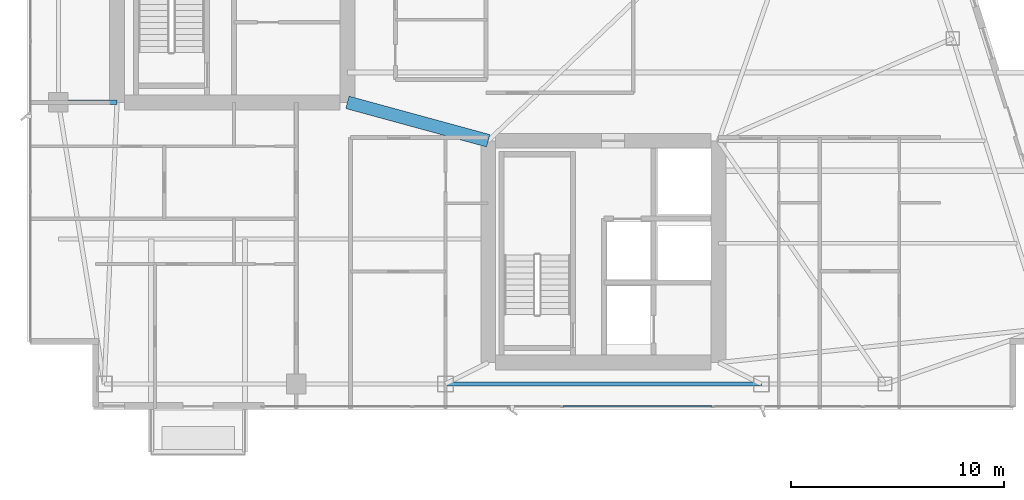
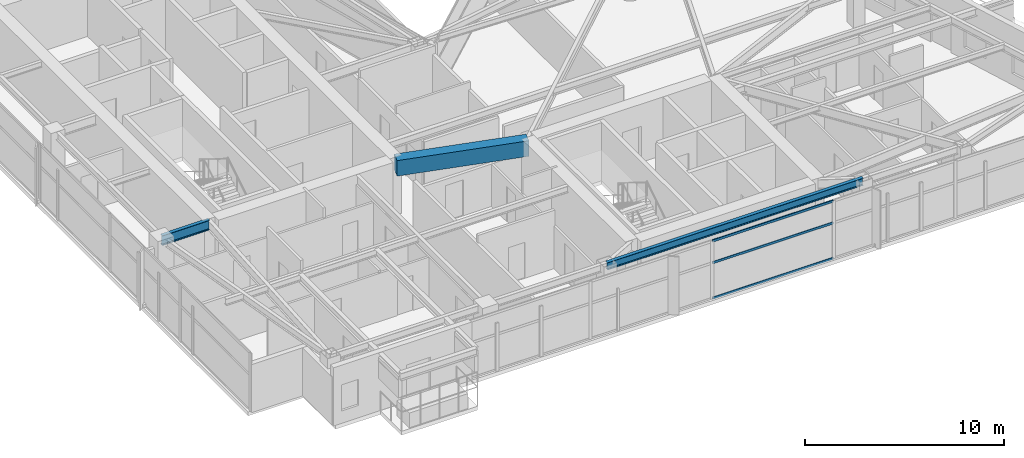
# One storey, part 7 of 27: 3 beams, 3 members, 1 element without a shape of its own.
"""IFC4 building model written with IfcOpenShell, lengths in metres."""

import ifcopenshell
import ifcopenshell.guid

model = None  # the IFC model being written
_history = None  # IfcOwnerHistory: only IFC2X3 demands one
_inside = {}  # id of a spatial element -> (the spatial element, [elements in it])
_under = {}  # id of a project, library or spatial element -> (it, [spatial elements below it])
_declared = {}  # id of a project -> (the project, [libraries it declares])
_typed = {}  # id of a type object -> (the type object, [elements of that type])
_made_of = {}  # id of a material, layer set ... -> (it, [elements and type objects made of it])


def new_model(schema):
    """Start an empty IFC model of exactly this schema.

    Asked for "IFC4X3", IfcOpenShell would pick the latest addendum, in which some entities
    have other attributes; the version numbers below select the first issue.
    IFC2X3 requires an IfcOwnerHistory on every rooted entity: one is made here for all.
    """
    global model, _history
    if schema == "IFC4X3":
        model = ifcopenshell.file(schema_version=(4, 3, 0, 0))
    else:
        model = ifcopenshell.file(schema=schema)
    _inside.clear()
    _under.clear()
    _declared.clear()
    _typed.clear()
    _made_of.clear()
    _history = None
    if model.schema == "IFC2X3":
        org = make("IfcOrganization", Name="unknown")
        user = make(
            "IfcPersonAndOrganization",
            ThePerson=make("IfcPerson", FamilyName="unknown"),
            TheOrganization=org,
        )
        app = make(
            "IfcApplication",
            ApplicationDeveloper=org,
            Version="unknown",
            ApplicationFullName="unknown",
            ApplicationIdentifier="unknown",
        )
        _history = make(
            "IfcOwnerHistory",
            OwningUser=user,
            OwningApplication=app,
            ChangeAction="ADDED",
            CreationDate=0,
        )
    return model


def make(cls, **values):
    """One entity of the class cls with the attributes given. An attribute that is None is left unset."""
    return model.create_entity(
        cls, **{name: value for name, value in values.items() if value is not None}
    )


def rooted(cls, **values):
    """An entity with a GlobalId (a new one), such as an element, a storey or a relation."""
    return make(cls, GlobalId=ifcopenshell.guid.new(), OwnerHistory=_history, **values)


def si_unit(unit_type, name, prefix=None):
    """IfcSIUnit, for example si_unit("LENGTHUNIT", "METRE", prefix="MILLI")."""
    return make("IfcSIUnit", UnitType=unit_type, Prefix=prefix, Name=name)


def assignment(units):
    """IfcUnitAssignment: the units of a project."""
    return None if units is None else make("IfcUnitAssignment", Units=units)


def point(xyz):
    """IfcCartesianPoint."""
    return None if xyz is None else make("IfcCartesianPoint", Coordinates=xyz)


def direction(xyz):
    """IfcDirection."""
    return None if xyz is None else make("IfcDirection", DirectionRatios=xyz)


def frame(location, z_axis=None, x_axis=None):
    """IfcAxis2Placement3D, a coordinate frame: its origin and axes. An axis left out is left unset."""
    return make(
        "IfcAxis2Placement3D",
        Location=point(location),
        Axis=direction(z_axis),
        RefDirection=direction(x_axis),
    )


def frame_2d(location, x_axis=None):
    """IfcAxis2Placement2D, a coordinate frame in the plane: its origin and x axis."""
    return make(
        "IfcAxis2Placement2D", Location=point(location), RefDirection=direction(x_axis)
    )


def origin():
    """The frame at (0, 0, 0) with its axes left unset."""
    return frame((0.0, 0.0, 0.0))


def origin_2d():
    """The frame at (0, 0) in the plane with its x axis left unset."""
    return frame_2d((0.0, 0.0))


def place(relative_to, where):
    """IfcLocalPlacement: puts the frame where relative to a parent placement (None: the world)."""
    return make(
        "IfcLocalPlacement", PlacementRelTo=relative_to, RelativePlacement=where
    )


def context(
    kind, dimensions, precision=None, world=None, true_north=None, identifier=None
):
    """IfcGeometricRepresentationContext, for example the 3D "Model" context."""
    return make(
        "IfcGeometricRepresentationContext",
        ContextIdentifier=identifier,
        ContextType=kind,
        CoordinateSpaceDimension=dimensions,
        Precision=precision,
        WorldCoordinateSystem=world,
        TrueNorth=true_north,
    )


def subcontext(parent, identifier, kind, view, scale=None):
    """IfcGeometricRepresentationSubContext, for example "Body" below "Model"."""
    return make(
        "IfcGeometricRepresentationSubContext",
        ContextIdentifier=identifier,
        ContextType=kind,
        ParentContext=parent,
        TargetScale=scale,
        TargetView=view,
    )


def project(units=None, contexts=None):
    """IfcProject with its units and contexts."""
    return rooted(
        "IfcProject",
        Name="project",
        RepresentationContexts=contexts,
        UnitsInContext=assignment(units),
    )


def spatial(cls, under=None, at=None, **own):
    """A site, building, storey or space (cls), placed at a placement, below another one or the project."""
    s = rooted(cls, ObjectPlacement=at, **own)
    if under is not None:
        _under.setdefault(under.id(), (under, []))[1].append(s)
    return s


def profile(cls, at=None, kind="AREA", **sizes):
    """A parametric profile (cls). Its sizes go by their IFC names, for example OverallWidth=200.0."""
    return make(cls, ProfileType=kind, Position=at, **sizes)


def rectangle(**sizes):
    """IfcRectangleProfileDef."""
    return profile("IfcRectangleProfileDef", **sizes)


def hollow_rectangle(**sizes):
    """IfcRectangleHollowProfileDef."""
    return profile("IfcRectangleHollowProfileDef", **sizes)


def i_section(**sizes):
    """IfcIShapeProfileDef."""
    return profile("IfcIShapeProfileDef", **sizes)


def extrude(swept, where, along, depth):
    """IfcExtrudedAreaSolid: the profile swept, set in the frame where, extruded along a direction by depth."""
    return make(
        "IfcExtrudedAreaSolid",
        SweptArea=swept,
        Position=where,
        ExtrudedDirection=direction(along),
        Depth=depth,
    )


def shape(context_of_items, identifier, shape_type, items):
    """IfcShapeRepresentation: the items that make up one representation, for example the "Body"."""
    return make(
        "IfcShapeRepresentation",
        ContextOfItems=context_of_items,
        RepresentationIdentifier=identifier,
        RepresentationType=shape_type,
        Items=items,
    )


def material(Name=None, Category=None):
    """IfcMaterial."""
    return make("IfcMaterial", Name=Name, Category=Category)


def layer(
    of_material, thickness, ventilated=None, Name=None, Category=None, Priority=None
):
    """IfcMaterialLayer: one layer of a wall or slab, of a material (None: an air gap)."""
    return make(
        "IfcMaterialLayer",
        Material=of_material,
        LayerThickness=thickness,
        IsVentilated=ventilated,
        Name=Name,
        Category=Category,
        Priority=Priority,
    )


def layer_set(layers, Name=None):
    """IfcMaterialLayerSet."""
    return make("IfcMaterialLayerSet", MaterialLayers=layers, LayerSetName=Name)


def material_profile(
    of_material, cross_section, Name=None, Category=None, Priority=None
):
    """IfcMaterialProfile: a cross section and its material."""
    return make(
        "IfcMaterialProfile",
        Name=Name,
        Material=of_material,
        Profile=cross_section,
        Priority=Priority,
        Category=Category,
    )


def profile_set(profiles, Name=None, composite=None):
    """IfcMaterialProfileSet."""
    return make(
        "IfcMaterialProfileSet",
        Name=Name,
        MaterialProfiles=profiles,
        CompositeProfile=composite,
    )


def made_of(thing, what):
    """Note that an element or type object is made of a material, layer set ...; save() writes the relation."""
    if what is not None:
        _made_of.setdefault(what.id(), (what, []))[1].append(thing)
    return thing


def type_object(cls, material=None, **own):
    """A type object (cls), such as IfcWallType, which elements share."""
    return made_of(rooted(cls, **own), material)


def element(
    cls,
    number,
    at=None,
    inside=None,
    cuts=None,
    type_object=None,
    material=None,
    context=None,
    identifier="Body",
    shape_type=None,
    held_by="IfcProductDefinitionShape",
    body=None,
    shapes=None,
    **own,
):
    """One element of the class cls, such as IfcWall. Its Tag is "e" and its number.

    at: its placement. inside: the storey or other place that contains it. cuts: it is an
    opening in that element (IfcRelVoidsElement). A single representation is given by context,
    identifier, shape_type and body (its items); several are given by shapes. held_by: the class
    of the entity that holds the representations. save() writes the other relations.
    """
    e = rooted(cls, Tag="e%d" % number, ObjectPlacement=at, **own)
    if body is not None:
        shapes = [shape(context, identifier, shape_type, body)]
    if shapes is not None:
        e.Representation = make(held_by, Representations=shapes)
    if inside is not None:
        _inside.setdefault(inside.id(), (inside, []))[1].append(e)
    if cuts is not None:
        rooted(
            "IfcRelVoidsElement", RelatingBuildingElement=cuts, RelatedOpeningElement=e
        )
    if type_object is not None:
        _typed.setdefault(type_object.id(), (type_object, []))[1].append(e)
    return made_of(e, material)


def aggregate(whole, parts):
    """IfcRelAggregates: a whole, such as a stair, and the parts it consists of."""
    return rooted("IfcRelAggregates", RelatingObject=whole, RelatedObjects=parts)


def save(model, path):
    """Write the relations noted so far, then the file.

    IfcRelAggregates (storeys below a building ...), IfcRelContainedInSpatialStructure (elements
    in a storey), IfcRelDefinesByType, IfcRelAssociatesMaterial and IfcRelDeclares: one each for
    every whole, place, type object, material and project.
    """
    for whole, parts in _under.values():
        aggregate(whole, parts)
    for where, things in _inside.values():
        rooted(
            "IfcRelContainedInSpatialStructure",
            RelatedElements=things,
            RelatingStructure=where,
        )
    for kind, things in _typed.values():
        rooted("IfcRelDefinesByType", RelatedObjects=things, RelatingType=kind)
    for what, things in _made_of.values():
        rooted("IfcRelAssociatesMaterial", RelatedObjects=things, RelatingMaterial=what)
    for by, libraries in _declared.values():
        rooted("IfcRelDeclares", RelatingContext=by, RelatedDefinitions=libraries)
    model.write(path)


model = new_model("IFC4")

# Units and contexts
model_context = context("Model", 3, precision=1e-05, world=origin(), true_north=direction((0.0, 1.0)))
body_context = subcontext(model_context, "Body", "Model", "MODEL_VIEW")
ifc_project = project(units=[si_unit("LENGTHUNIT", "METRE"), si_unit("AREAUNIT", "SQUARE_METRE"), si_unit("VOLUMEUNIT", "CUBIC_METRE"), si_unit("PLANEANGLEUNIT", "RADIAN"), si_unit("MASSUNIT", "GRAM", prefix="KILO")], contexts=[model_context])

# Site, building, storey
site_placement = place(None, origin())
site = spatial("IfcSite", under=ifc_project, at=site_placement, CompositionType="ELEMENT")
building_placement = place(site_placement, origin())
building = spatial("IfcBuilding", under=site, at=building_placement, Name="Calvorn Quay Hotel", CompositionType="ELEMENT")
storey_placement = place(building_placement, frame((0.0, 0.0, 223.10009765625)))
storey = spatial("IfcBuildingStorey", under=building, at=storey_placement, Name="L55", CompositionType="ELEMENT", Elevation=223.10009765625)

# Beams
ifc_material_1 = material(Name="Steel Q355B", Category="steel")
ifc_material_profile_1 = material_profile(ifc_material_1, i_section(OverallWidth=0.199951171875, OverallDepth=0.60009765625, WebThickness=0.010986328125, FlangeThickness=0.01708984375, FilletRadius=0.01806640625, at=origin_2d()), Name="HN600x200x11x17")
ifc_profile_set_1 = profile_set([ifc_material_profile_1], Name="Steel Q355B")
beam_type_1 = type_object("IfcBeamType", Name="BM-GIRD-TYP", PredefinedType="BEAM", material=ifc_profile_set_1)
beam_1_placement = place(storey_placement, frame((1.449951171875, 16.800048828125, 3.239990234375), z_axis=(1.0, 0.0, 0.0), x_axis=(0.0, 1.0, 0.0)))
element("IfcBeam", 1, at=beam_1_placement, inside=storey, type_object=beam_type_1, Name="Beam BG-L55-W1", PredefinedType="BEAM", context=body_context, shape_type="SweptSolid", body=[
    extrude(i_section(OverallWidth=0.199951171875, OverallDepth=0.60009765625, WebThickness=0.010986328125, FlangeThickness=0.01708984375, FilletRadius=0.01806640625, at=origin_2d()), origin(), (0.0, 0.0, 1.0), 2.75),
])
ifc_material_2 = material(Name="Concrete C45", Category="concrete")
ifc_material_profile_2 = material_profile(ifc_material_2, rectangle(XDim=0.60009765625, YDim=0.949951171875, at=origin_2d()), Name="RCB600x950")
ifc_profile_set_2 = profile_set([ifc_material_profile_2], Name="Concrete C45")
beam_type_2 = type_object("IfcBeamType", Name="BM-RC-LINK-600x950", PredefinedType="BEAM", material=ifc_profile_set_2)
beam_2_placement = place(storey_placement, frame((15.0, 16.800048828125, 3.06494140625), z_axis=(0.964762997686, -0.263120425462, 0.0), x_axis=(0.263120425462, 0.964762997686, 0.0)))
element("IfcBeam", 2, at=beam_2_placement, inside=storey, type_object=beam_type_2, Name="Beam BCL-L55-01", PredefinedType="BEAM", context=body_context, shape_type="SweptSolid", body=[
    extrude(rectangle(XDim=0.60009765625, YDim=0.949951171875, at=origin_2d()), origin(), (0.0, 0.0, 1.0), 6.841064453125),
])
ifc_material_3 = material(Name="Steel Q355B", Category="steel")
ifc_material_profile_3 = material_profile(ifc_material_3, i_section(OverallWidth=0.199951171875, OverallDepth=0.449951171875, WebThickness=0.009033203125, FlangeThickness=0.013916015625, FilletRadius=0.01611328125, at=origin_2d()), Name="HN450x200x9x14")
ifc_profile_set_3 = profile_set([ifc_material_profile_3], Name="Steel Q355B")
beam_type_3 = type_object("IfcBeamType", Name="BM-SPANDREL-Z3", PredefinedType="SPANDREL", material=ifc_profile_set_3)
beam_3_placement = place(storey_placement, frame((19.60009765625, 3.60009765625, 3.31494140625), z_axis=(1.0, 0.0, 0.0), x_axis=(0.0, 1.0, 0.0)))
element("IfcBeam", 3, at=beam_3_placement, inside=storey, type_object=beam_type_3, Name="Beam BSP-L55-S3", PredefinedType="SPANDREL", context=body_context, shape_type="SweptSolid", body=[
    extrude(i_section(OverallWidth=0.199951171875, OverallDepth=0.449951171875, WebThickness=0.009033203125, FlangeThickness=0.013916015625, FilletRadius=0.01611328125, at=origin_2d()), origin(), (0.0, 0.0, 1.0), 14.7998046875),
])

# Curtain wall, members
ifc_material_4 = material(Name="Champagne Bronze Anodised Aluminium and Low-E Glass", Category="aluminium")
ifc_layer = layer(ifc_material_4, 0.219970703125)
ifc_layer_set = layer_set([ifc_layer], Name="CW-SYS-Z3")
curtain_wall_type = type_object("IfcCurtainWallType", Name="CW-SYS-Z3", PredefinedType="NOTDEFINED", material=ifc_layer_set)
curtain_wall_placement = place(storey_placement, origin())
curtain_wall = element("IfcCurtainWall", 4, at=curtain_wall_placement, inside=storey, type_object=curtain_wall_type, Name="Tower South Waterfront Curtain Wall (L55)", PredefinedType="NOTDEFINED")
ifc_material_5 = material(Name="Champagne Bronze Anodised Aluminium 6063-T6", Category="aluminium")
ifc_material_profile_4 = material_profile(ifc_material_5, hollow_rectangle(XDim=0.05810546875, YDim=0.139892578125, WallThickness=0.003173828125, at=origin_2d()), Name="ALU-T140x58x3.2")
ifc_profile_set_4 = profile_set([ifc_material_profile_4], Name="Champagne Bronze Anodised Aluminium 6063-T6")
member_type = type_object("IfcMemberType", Name="CW-SYS-Z3-TRN", PredefinedType="USERDEFINED", material=ifc_profile_set_4)
member_1_placement = place(storey_placement, frame((25.110107421875, 2.550048828125, 0.02978515625), z_axis=(1.0, 0.0, 0.0), x_axis=(0.0, 1.0, 0.0)))
member_1 = element("IfcMember", 5, at=member_1_placement, type_object=member_type, Name="CW-L55-S transom 3.1", ObjectType="TRANSOM", PredefinedType="USERDEFINED", context=body_context, shape_type="SweptSolid", body=[
    extrude(hollow_rectangle(XDim=0.05810546875, YDim=0.139892578125, WallThickness=0.003173828125, at=origin_2d()), origin(), (0.0, 0.0, 1.0), 6.97998046875),
])
member_2_placement = place(storey_placement, frame((25.110107421875, 2.550048828125, 2.199951171875), z_axis=(1.0, 0.0, 0.0), x_axis=(0.0, 1.0, 0.0)))
member_2 = element("IfcMember", 6, at=member_2_placement, type_object=member_type, Name="CW-L55-S transom 3.2", ObjectType="TRANSOM", PredefinedType="USERDEFINED", context=body_context, shape_type="SweptSolid", body=[
    extrude(hollow_rectangle(XDim=0.05810546875, YDim=0.139892578125, WallThickness=0.003173828125, at=origin_2d()), origin(), (0.0, 0.0, 1.0), 6.97998046875),
])
member_3_placement = place(storey_placement, frame((25.110107421875, 2.550048828125, 3.52978515625), z_axis=(1.0, 0.0, 0.0), x_axis=(0.0, 1.0, 0.0)))
member_3 = element("IfcMember", 7, at=member_3_placement, type_object=member_type, Name="CW-L55-S transom 3.3", ObjectType="TRANSOM", PredefinedType="USERDEFINED", context=body_context, shape_type="SweptSolid", body=[
    extrude(hollow_rectangle(XDim=0.05810546875, YDim=0.139892578125, WallThickness=0.003173828125, at=origin_2d()), origin(), (0.0, 0.0, 1.0), 6.97998046875),
])
aggregate(curtain_wall, [member_1, member_2, member_3])

save(model, "model.ifc")
